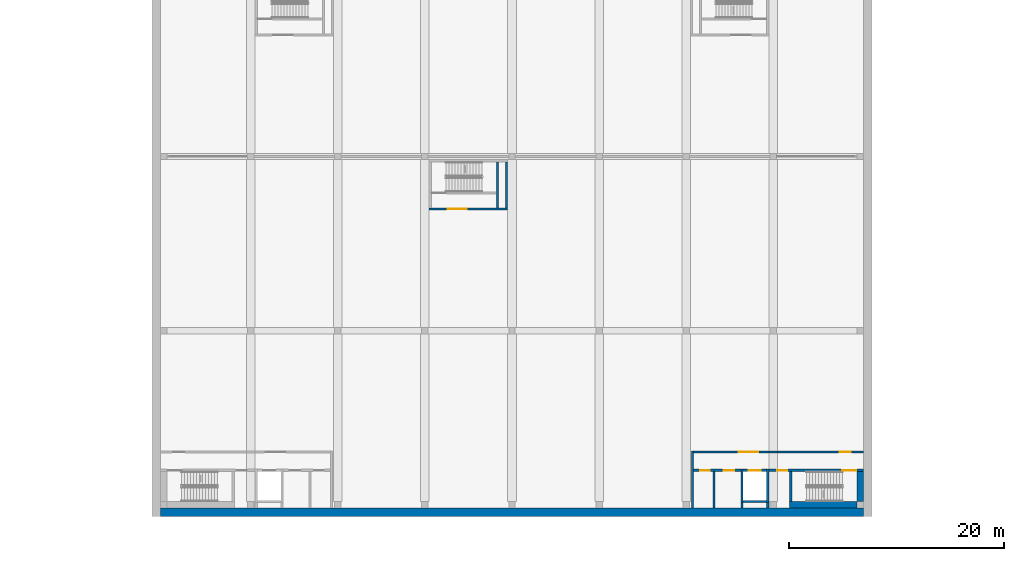
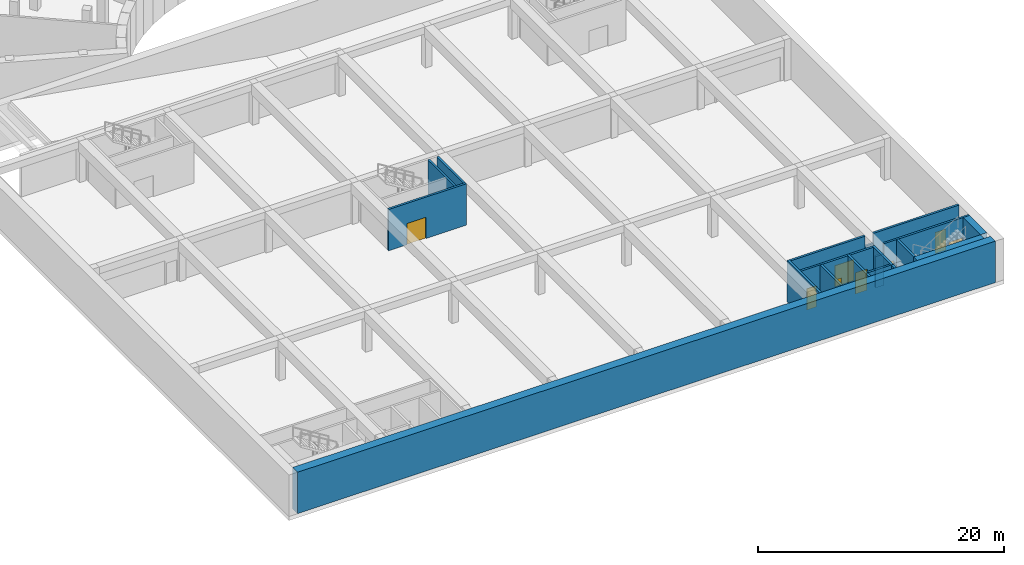
# One storey, part 4 of 21: 21 walls, 8 doors, 8 openings.
"""IFC4 building model written with IfcOpenShell, lengths in metres."""

from ifc_helpers import new_model, si_unit, direction, frame, frame_2d, origin, place, context, subcontext, project, spatial, rectangle, extrude, material, layer, layer_set, type_object, element, fill, save


model = new_model("IFC4")

# Units and contexts
model_context = context("Model", 3, precision=1e-05, world=origin(), true_north=direction((0.0, 1.0)))
body_context = subcontext(model_context, "Body", "Model", "MODEL_VIEW")
ifc_project = project(units=[si_unit("LENGTHUNIT", "METRE"), si_unit("AREAUNIT", "SQUARE_METRE"), si_unit("VOLUMEUNIT", "CUBIC_METRE"), si_unit("PLANEANGLEUNIT", "RADIAN"), si_unit("MASSUNIT", "GRAM", prefix="KILO")], contexts=[model_context])

# Site, building, storey
site_placement = place(None, origin())
site = spatial("IfcSite", under=ifc_project, at=site_placement, CompositionType="ELEMENT")
building_placement = place(site_placement, origin())
building = spatial("IfcBuilding", under=site, at=building_placement, Name="Stone Belt Terrace Tower", CompositionType="ELEMENT")
storey_placement = place(building_placement, frame((0.0, 0.0, -9.0)))
storey = spatial("IfcBuildingStorey", under=building, at=storey_placement, Name="B2", CompositionType="ELEMENT", Elevation=-9.0)

# Wall
ifc_material_1 = material(Name="Concrete B30", Category="concrete")
ifc_layer_1 = layer(ifc_material_1, 0.199951171875)
ifc_layer_set_1 = layer_set([ifc_layer_1], Name="Car park core wall 200")
wall_type_1 = type_object("IfcWallType", Name="Car park core wall 200", PredefinedType="SOLIDWALL", material=ifc_layer_set_1)
wall_1_placement = place(storey_placement, frame((25.93994140625, -50.10009765625, 0.0), z_axis=(0.0, 0.0, 1.0), x_axis=(0.0, 1.0, 0.0)))
element("IfcWall", 1, at=wall_1_placement, inside=storey, type_object=wall_type_1, Name="Car park stair 2 wall", PredefinedType="SOLIDWALL", context=body_context, shape_type="SweptSolid", body=[
    extrude(rectangle(XDim=2.800048828125, YDim=0.199951171875, at=frame_2d((1.39990234375, 0.0))), origin(), (0.0, 0.0, 1.0), 4.10009765625),
])

# Wall, openings, doors
wall_2_placement = place(storey_placement, frame((24.699951171875, -47.199951171875, 0.0), z_axis=(0.0, 0.0, 1.0), x_axis=(1.0, 0.0, 0.0)))
wall_2 = element("IfcWall", 2, at=wall_2_placement, inside=storey, type_object=wall_type_1, Name="Car park core 2 wall", PredefinedType="SOLIDWALL", context=body_context, shape_type="SweptSolid", body=[
    extrude(rectangle(XDim=8.0, YDim=0.199951171875, at=frame_2d((4.0, 0.0))), origin(), (0.0, 0.0, 1.0), 4.10009765625),
])
opening_1_placement = place(wall_2_placement, frame((6.050048828125, 0.0, 0.0)))
opening_1 = element("IfcOpeningElement", 3, at=opening_1_placement, cuts=wall_2, Name="Opening B2-S12", PredefinedType="OPENING", context=body_context, shape_type="SweptSolid", body=[
    extrude(rectangle(XDim=1.300048828125, YDim=2.10009765625, at=frame_2d((0.64990234375, 1.050048828125))), frame((0.0, 0.10986328125, 0.0), z_axis=(0.0, -1.0, 0.0), x_axis=(1.0, 0.0, 0.0)), (0.0, 0.0, 1.0), 0.219970703125),
])
opening_2_placement = place(wall_2_placement, origin())
opening_2 = element("IfcOpeningElement", 4, at=opening_2_placement, cuts=wall_2, Name="Opening B2-S13", PredefinedType="OPENING", context=body_context, shape_type="SweptSolid", body=[
    extrude(rectangle(XDim=0.89990234375, YDim=2.10009765625, at=frame_2d((0.449951171875, 1.050048828125))), frame((0.0, 0.10986328125, 0.0), z_axis=(0.0, -1.0, 0.0), x_axis=(1.0, 0.0, 0.0)), (0.0, 0.0, 1.0), 0.219970703125),
])
ifc_material_2 = material(Name="Steel door leaf", Category="steel")
door_type_1 = type_object("IfcDoorType", Name="Core door 1300 fire rated", OperationType="NOTDEFINED", PredefinedType="DOOR", material=ifc_material_2)
door_1_placement = place(opening_1_placement, origin())
door_1 = element("IfcDoor", 5, at=door_1_placement, inside=storey, type_object=door_type_1, Name="Stair 2 door", OperationType="SINGLE_SWING_RIGHT", OverallHeight=2.10009765625, OverallWidth=1.300048828125, PredefinedType="DOOR", context=body_context, shape_type="SweptSolid", body=[
    extrude(rectangle(XDim=1.300048828125, YDim=2.10009765625, at=frame_2d((0.64990234375, 1.050048828125))), frame((0.0, 0.02490234375, 0.0), z_axis=(0.0, -1.0, 0.0), x_axis=(1.0, 0.0, 0.0)), (0.0, 0.0, 1.0), 0.050048828125),
])
fill(opening_1, door_1)
door_type_2 = type_object("IfcDoorType", Name="Core door 900 fire rated", OperationType="NOTDEFINED", PredefinedType="DOOR", material=ifc_material_2)
door_2_placement = place(opening_2_placement, origin())
door_2 = element("IfcDoor", 6, at=door_2_placement, inside=storey, type_object=door_type_2, Name="Riser room 2 door", OperationType="SINGLE_SWING_LEFT", OverallHeight=2.10009765625, OverallWidth=0.89990234375, PredefinedType="DOOR", context=body_context, shape_type="SweptSolid", body=[
    extrude(rectangle(XDim=0.89990234375, YDim=2.10009765625, at=frame_2d((0.449951171875, 1.050048828125))), frame((0.0, 0.02490234375, 0.0), z_axis=(0.0, -1.0, 0.0), x_axis=(1.0, 0.0, 0.0)), (0.0, 0.0, 1.0), 0.050048828125),
])
fill(opening_2, door_2)

wall_3_placement = place(storey_placement, frame((16.89990234375, -47.199951171875, 0.0), z_axis=(0.0, 0.0, 1.0), x_axis=(1.0, 0.0, 0.0)))
wall_3 = element("IfcWall", 7, at=wall_3_placement, inside=storey, type_object=wall_type_1, Name="Car park core 2 wall", PredefinedType="SOLIDWALL", context=body_context, shape_type="SweptSolid", body=[
    extrude(rectangle(XDim=4.400146484375, YDim=0.199951171875, at=frame_2d((2.2001953125, 0.0))), origin(), (0.0, 0.0, 1.0), 4.10009765625),
])
opening_3_placement = place(wall_3_placement, frame((2.800048828125, 0.0, 0.0)))
opening_3 = element("IfcOpeningElement", 8, at=opening_3_placement, cuts=wall_3, Name="Opening B2-S15", PredefinedType="OPENING", context=body_context, shape_type="SweptSolid", body=[
    extrude(rectangle(XDim=1.0, YDim=2.10009765625, at=frame_2d((0.5, 1.050048828125))), frame((0.0, 0.10986328125, 0.0), z_axis=(0.0, -1.0, 0.0), x_axis=(1.0, 0.0, 0.0)), (0.0, 0.0, 1.0), 0.219970703125),
])
opening_4_placement = place(wall_3_placement, frame((0.60009765625, 0.0, 0.0)))
opening_4 = element("IfcOpeningElement", 9, at=opening_4_placement, cuts=wall_3, Name="Opening B2-S16", PredefinedType="OPENING", context=body_context, shape_type="SweptSolid", body=[
    extrude(rectangle(XDim=0.89990234375, YDim=2.10009765625, at=frame_2d((0.449951171875, 1.050048828125))), frame((0.0, 0.10986328125, 0.0), z_axis=(0.0, -1.0, 0.0), x_axis=(1.0, 0.0, 0.0)), (0.0, 0.0, 1.0), 0.219970703125),
])
door_type_3 = type_object("IfcDoorType", Name="Core door 1000 fire rated", OperationType="NOTDEFINED", PredefinedType="DOOR", material=ifc_material_2)
door_3_placement = place(opening_3_placement, origin())
door_3 = element("IfcDoor", 10, at=door_3_placement, inside=storey, type_object=door_type_3, Name="Accessible WC 2 door", OperationType="SINGLE_SWING_RIGHT", OverallHeight=2.10009765625, OverallWidth=1.0, PredefinedType="DOOR", context=body_context, shape_type="SweptSolid", body=[
    extrude(rectangle(XDim=1.0, YDim=2.10009765625, at=frame_2d((0.5, 1.050048828125))), frame((0.0, 0.02490234375, 0.0), z_axis=(0.0, -1.0, 0.0), x_axis=(1.0, 0.0, 0.0)), (0.0, 0.0, 1.0), 0.050048828125),
])
fill(opening_3, door_3)
door_4_placement = place(opening_4_placement, origin())
door_4 = element("IfcDoor", 11, at=door_4_placement, inside=storey, type_object=door_type_2, Name="Equipment store 2 door", OperationType="SINGLE_SWING_LEFT", OverallHeight=2.10009765625, OverallWidth=0.89990234375, PredefinedType="DOOR", context=body_context, shape_type="SweptSolid", body=[
    extrude(rectangle(XDim=0.89990234375, YDim=2.10009765625, at=frame_2d((0.449951171875, 1.050048828125))), frame((0.0, 0.02490234375, 0.0), z_axis=(0.0, -1.0, 0.0), x_axis=(1.0, 0.0, 0.0)), (0.0, 0.0, 1.0), 0.050048828125),
])
fill(opening_4, door_4)

# Walls
for number, where, z_axis, x_axis, name in (
    (12, (23.800048828125, -50.699951171875, 0.0), (0.0, 0.0, 1.0), (0.0, 1.0, 0.0), "Car park core 2 wall"),
    (13, (21.39990234375, -50.699951171875, 0.0), (0.0, 0.0, 1.0), (0.0, 1.0, 0.0), "Car park core 2 wall"),
):
    element("IfcWall", number, at=place(storey_placement, frame(where, z_axis=z_axis, x_axis=x_axis)), inside=storey, type_object=wall_type_1, Name=name, PredefinedType="SOLIDWALL", context=body_context, shape_type="SweptSolid", body=[
        extrude(rectangle(XDim=0.5, YDim=0.199951171875, at=frame_2d((0.25, 0.0))), origin(), (0.0, 0.0, 1.0), 4.10009765625),
    ])
wall_4_placement = place(storey_placement, frame((16.800048828125, -50.699951171875, 0.0), z_axis=(0.0, 0.0, 1.0), x_axis=(0.0, 1.0, 0.0)))
element("IfcWall", 14, at=wall_4_placement, inside=storey, type_object=wall_type_1, Name="Car park core 2 wall", PredefinedType="SOLIDWALL", context=body_context, shape_type="SweptSolid", body=[
    extrude(rectangle(XDim=5.300048828125, YDim=0.199951171875, at=frame_2d((2.64990234375, 0.0))), origin(), (0.0, 0.0, 1.0), 4.10009765625),
])

# Wall, opening, door
wall_5_placement = place(storey_placement, frame((16.89990234375, -45.5, 0.0), z_axis=(0.0, 0.0, 1.0), x_axis=(1.0, 0.0, 0.0)))
wall_5 = element("IfcWall", 15, at=wall_5_placement, inside=storey, type_object=wall_type_1, Name="Car park core 2 front wall", PredefinedType="SOLIDWALL", context=body_context, shape_type="SweptSolid", body=[
    extrude(rectangle(XDim=7.0, YDim=0.199951171875, at=frame_2d((3.5, 0.0))), origin(), (0.0, 0.0, 1.0), 4.10009765625),
])
opening_5_placement = place(wall_5_placement, frame((4.199951171875, 0.0, 0.0)))
opening_5 = element("IfcOpeningElement", 16, at=opening_5_placement, cuts=wall_5, Name="Opening B2-S17", PredefinedType="OPENING", context=body_context, shape_type="SweptSolid", body=[
    extrude(rectangle(XDim=1.800048828125, YDim=2.10009765625, at=frame_2d((0.89990234375, 1.050048828125))), frame((0.0, 0.10986328125, 0.0), z_axis=(0.0, -1.0, 0.0), x_axis=(1.0, 0.0, 0.0)), (0.0, 0.0, 1.0), 0.219970703125),
])
door_type_4 = type_object("IfcDoorType", Name="Core door pair 1800 fire rated", OperationType="DOUBLE_DOOR_DOUBLE_SWING", PredefinedType="DOOR", material=ifc_material_2)
door_5_placement = place(opening_5_placement, origin())
door_5 = element("IfcDoor", 17, at=door_5_placement, inside=storey, type_object=door_type_4, Name="Car park lobby 2 door", OperationType="SINGLE_SWING_LEFT", OverallHeight=2.10009765625, OverallWidth=1.800048828125, PredefinedType="DOOR", context=body_context, shape_type="SweptSolid", body=[
    extrude(rectangle(XDim=1.800048828125, YDim=2.10009765625, at=frame_2d((0.89990234375, 1.050048828125))), frame((0.0, 0.02490234375, 0.0), z_axis=(0.0, -1.0, 0.0), x_axis=(1.0, 0.0, 0.0)), (0.0, 0.0, 1.0), 0.050048828125),
])
fill(opening_5, door_5)

wall_6_placement = place(storey_placement, frame((24.699951171875, -45.5, 0.0), z_axis=(0.0, 0.0, 1.0), x_axis=(1.0, 0.0, 0.0)))
wall_6 = element("IfcWall", 18, at=wall_6_placement, inside=storey, type_object=wall_type_1, Name="Car park core 2 front wall", PredefinedType="SOLIDWALL", context=body_context, shape_type="SweptSolid", body=[
    extrude(rectangle(XDim=8.0, YDim=0.199951171875, at=frame_2d((4.0, 0.0))), origin(), (0.0, 0.0, 1.0), 4.10009765625),
])
opening_6_placement = place(wall_6_placement, frame((5.800048828125, 0.0, 0.0)))
opening_6 = element("IfcOpeningElement", 19, at=opening_6_placement, cuts=wall_6, Name="Opening B2-S18", PredefinedType="OPENING", context=body_context, shape_type="SweptSolid", body=[
    extrude(rectangle(XDim=1.0, YDim=2.10009765625, at=frame_2d((0.5, 1.050048828125))), frame((0.0, 0.10986328125, 0.0), z_axis=(0.0, -1.0, 0.0), x_axis=(1.0, 0.0, 0.0)), (0.0, 0.0, 1.0), 0.219970703125),
])
door_6_placement = place(opening_6_placement, origin())
door_6 = element("IfcDoor", 20, at=door_6_placement, inside=storey, type_object=door_type_3, Name="Car park exit 2 door", OperationType="SINGLE_SWING_LEFT", OverallHeight=2.10009765625, OverallWidth=1.0, PredefinedType="DOOR", context=body_context, shape_type="SweptSolid", body=[
    extrude(rectangle(XDim=1.0, YDim=2.10009765625, at=frame_2d((0.5, 1.050048828125))), frame((0.0, 0.02490234375, 0.0), z_axis=(0.0, -1.0, 0.0), x_axis=(1.0, 0.0, 0.0)), (0.0, 0.0, 1.0), 0.050048828125),
])
fill(opening_6, door_6)

wall_7_placement = place(storey_placement, frame((-7.699951171875, -22.89990234375, 0.0), z_axis=(0.0, 0.0, 1.0), x_axis=(1.0, 0.0, 0.0)))
wall_7 = element("IfcWall", 21, at=wall_7_placement, inside=storey, type_object=wall_type_1, Name="Car park stair 5 front wall", PredefinedType="SOLIDWALL", context=body_context, shape_type="SweptSolid", body=[
    extrude(rectangle(XDim=7.300048828125, YDim=0.199951171875, at=frame_2d((3.64990234375, 0.0))), origin(), (0.0, 0.0, 1.0), 4.10009765625),
])
opening_7_placement = place(wall_7_placement, frame((1.699951171875, 0.0, 0.0)))
opening_7 = element("IfcOpeningElement", 22, at=opening_7_placement, cuts=wall_7, Name="Opening B2-S24", PredefinedType="OPENING", context=body_context, shape_type="SweptSolid", body=[
    extrude(rectangle(XDim=1.800048828125, YDim=2.10009765625, at=frame_2d((0.89990234375, 1.050048828125))), frame((0.0, 0.10986328125, 0.0), z_axis=(0.0, -1.0, 0.0), x_axis=(1.0, 0.0, 0.0)), (0.0, 0.0, 1.0), 0.219970703125),
])
door_7_placement = place(opening_7_placement, origin())
door_7 = element("IfcDoor", 23, at=door_7_placement, inside=storey, type_object=door_type_4, Name="Car park stair 5 vestibule door", OperationType="SINGLE_SWING_LEFT", OverallHeight=2.10009765625, OverallWidth=1.800048828125, PredefinedType="DOOR", context=body_context, shape_type="SweptSolid", body=[
    extrude(rectangle(XDim=1.800048828125, YDim=2.10009765625, at=frame_2d((0.89990234375, 1.050048828125))), frame((0.0, 0.02490234375, 0.0), z_axis=(0.0, -1.0, 0.0), x_axis=(1.0, 0.0, 0.0)), (0.0, 0.0, 1.0), 0.050048828125),
])
fill(opening_7, door_7)

# Walls
for number, where, z_axis, x_axis, name in (
    (24, (-1.340087890625, -22.800048828125, 0.0), (0.0, 0.0, 1.0), (0.0, 1.0, 0.0), "Car park stair 5 wall"),
    (25, (-0.5, -22.800048828125, 0.0), (0.0, 0.0, 1.0), (0.0, 1.0, 0.0), "Car park stair 5 wall"),
):
    element("IfcWall", number, at=place(storey_placement, frame(where, z_axis=z_axis, x_axis=x_axis)), inside=storey, type_object=wall_type_1, Name=name, PredefinedType="SOLIDWALL", context=body_context, shape_type="SweptSolid", body=[
        extrude(rectangle(XDim=4.300048828125, YDim=0.199951171875, at=frame_2d((2.14990234375, 0.0))), origin(), (0.0, 0.0, 1.0), 4.10009765625),
    ])
ifc_layer_2 = layer(ifc_material_1, 0.199951171875)
ifc_layer_set_2 = layer_set([ifc_layer_2], Name="Car park core wall 200 variant A")
wall_type_2 = type_object("IfcWallType", Name="Car park core wall 200 variant A", PredefinedType="SOLIDWALL", material=ifc_layer_set_2)
for number, where, z_axis, x_axis, name in (
    (26, (23.89990234375, -47.199951171875, 0.0), (0.0, 0.0, 1.0), (1.0, 0.0, 0.0), "Car park core 2 wall"),
    (27, (23.89990234375, -45.5, 0.0), (0.0, 0.0, 1.0), (1.0, 0.0, 0.0), "Car park core 2 front wall"),
):
    element("IfcWall", number, at=place(storey_placement, frame(where, z_axis=z_axis, x_axis=x_axis)), inside=storey, type_object=wall_type_2, Name=name, PredefinedType="SOLIDWALL", context=body_context, shape_type="SweptSolid", body=[
        extrude(rectangle(XDim=0.800048828125, YDim=0.199951171875, at=frame_2d((0.39990234375, 0.0))), origin(), (0.0, 0.0, 1.0), 3.10009765625),
    ])

# Wall, opening, door
ifc_layer_3 = layer(ifc_material_1, 0.199951171875)
ifc_layer_set_3 = layer_set([ifc_layer_3], Name="Car park core wall 200 variant C")
wall_type_3 = type_object("IfcWallType", Name="Car park core wall 200 variant C", PredefinedType="SOLIDWALL", material=ifc_layer_set_3)
wall_8_placement = place(storey_placement, frame((21.5, -47.199951171875, -0.39990234375), z_axis=(0.0, 0.0, 1.0), x_axis=(1.0, 0.0, 0.0)))
wall_8 = element("IfcWall", 28, at=wall_8_placement, inside=storey, type_object=wall_type_3, Name="Car park lift 2 shaft wall", PredefinedType="SOLIDWALL", context=body_context, shape_type="SweptSolid", body=[
    extrude(rectangle(XDim=2.199951171875, YDim=0.199951171875, at=frame_2d((1.10009765625, 0.0))), origin(), (0.0, 0.0, 1.0), 4.5),
])
opening_8_placement = place(wall_8_placement, frame((0.550048828125, 0.0, 0.39990234375)))
opening_8 = element("IfcOpeningElement", 29, at=opening_8_placement, cuts=wall_8, Name="Opening B2-S14", PredefinedType="OPENING", context=body_context, shape_type="SweptSolid", body=[
    extrude(rectangle(XDim=1.10009765625, YDim=2.10009765625, at=frame_2d((0.550048828125, 1.050048828125))), frame((0.0, 0.10986328125, 0.0), z_axis=(0.0, -1.0, 0.0), x_axis=(1.0, 0.0, 0.0)), (0.0, 0.0, 1.0), 0.219970703125),
])
ifc_material_3 = material(Name="Stainless steel", Category="steel")
door_type_5 = type_object("IfcDoorType", Name="Lift landing door 1100", OperationType="SLIDING_TO_LEFT", PredefinedType="DOOR", material=ifc_material_3)
door_8_placement = place(opening_8_placement, origin())
door_8 = element("IfcDoor", 30, at=door_8_placement, inside=storey, type_object=door_type_5, Name="Lift 2 landing door", OperationType="SLIDING_TO_RIGHT", OverallHeight=2.10009765625, OverallWidth=1.10009765625, PredefinedType="DOOR", context=body_context, shape_type="SweptSolid", body=[
    extrude(rectangle(XDim=1.10009765625, YDim=2.10009765625, at=frame_2d((0.550048828125, 1.050048828125))), frame((0.0, 0.02490234375, 0.0), z_axis=(0.0, -1.0, 0.0), x_axis=(1.0, 0.0, 0.0)), (0.0, 0.0, 1.0), 0.050048828125),
])
fill(opening_8, door_8)

# Walls
for number, where, z_axis, x_axis, name in (
    (31, (23.800048828125, -50.199951171875, -0.39990234375), (0.0, 0.0, 1.0), (0.0, 1.0, 0.0), "Car park lift 2 shaft wall"),
    (32, (21.39990234375, -50.199951171875, -0.39990234375), (0.0, 0.0, 1.0), (0.0, 1.0, 0.0), "Car park lift 2 shaft wall"),
):
    element("IfcWall", number, at=place(storey_placement, frame(where, z_axis=z_axis, x_axis=x_axis)), inside=storey, type_object=wall_type_3, Name=name, PredefinedType="SOLIDWALL", context=body_context, shape_type="SweptSolid", body=[
        extrude(rectangle(XDim=3.099853515625, YDim=0.199951171875, at=frame_2d((1.5498046875, 0.0))), origin(), (0.0, 0.0, 1.0), 4.5),
    ])
wall_9_placement = place(storey_placement, frame((21.5, -50.10009765625, -0.39990234375), z_axis=(0.0, 0.0, 1.0), x_axis=(1.0, 0.0, 0.0)))
element("IfcWall", 33, at=wall_9_placement, inside=storey, type_object=wall_type_3, Name="Car park lift 2 shaft wall", PredefinedType="SOLIDWALL", context=body_context, shape_type="SweptSolid", body=[
    extrude(rectangle(XDim=2.199951171875, YDim=0.199951171875, at=frame_2d((1.10009765625, 0.0))), origin(), (0.0, 0.0, 1.0), 4.5),
])
ifc_material_4 = material(Name="Blockwork", Category="masonry")
ifc_layer_4 = layer(ifc_material_4, 0.199951171875)
ifc_layer_set_4 = layer_set([ifc_layer_4], Name="Car park partition 200")
wall_type_4 = type_object("IfcWallType", Name="Car park partition 200", PredefinedType="PARTITIONING", material=ifc_layer_set_4)
wall_10_placement = place(storey_placement, frame((18.800048828125, -50.699951171875, 0.0), z_axis=(0.0, 0.0, 1.0), x_axis=(0.0, 1.0, 0.0)))
element("IfcWall", 34, at=wall_10_placement, inside=storey, type_object=wall_type_4, Name="Car park core 2 partition", PredefinedType="PARTITIONING", context=body_context, shape_type="SweptSolid", body=[
    extrude(rectangle(XDim=3.39990234375, YDim=0.199951171875, at=frame_2d((1.699951171875, 0.0))), origin(), (0.0, 0.0, 1.0), 4.10009765625),
])
ifc_layer_5 = layer(ifc_material_1, 0.800048828125)
ifc_layer_set_5 = layer_set([ifc_layer_5], Name="Car park retaining wall 800")
wall_type_5 = type_object("IfcWallType", Name="Car park retaining wall 800", PredefinedType="SOLIDWALL", material=ifc_layer_set_5)
wall_11_placement = place(storey_placement, frame((-32.699951171875, -51.10009765625, 0.0), z_axis=(0.0, 0.0, 1.0), x_axis=(1.0, 0.0, 0.0)))
element("IfcWall", 35, at=wall_11_placement, inside=storey, type_object=wall_type_5, Name="Car park retaining wall south", PredefinedType="SOLIDWALL", context=body_context, shape_type="SweptSolid", body=[
    extrude(rectangle(XDim=65.39990234375, YDim=0.800048828125, at=frame_2d((32.699951171875, 0.0))), origin(), (0.0, 0.0, 1.0), 4.10009765625),
])
ifc_layer_6 = layer(ifc_material_1, 0.60009765625)
ifc_layer_set_6 = layer_set([ifc_layer_6], Name="Car park stair wall 600")
wall_type_6 = type_object("IfcWallType", Name="Car park stair wall 600", PredefinedType="SOLIDWALL", material=ifc_layer_set_6)
wall_12_placement = place(storey_placement, frame((25.840087890625, -50.39990234375, 0.0), z_axis=(0.0, 0.0, 1.0), x_axis=(1.0, 0.0, 0.0)))
element("IfcWall", 36, at=wall_12_placement, inside=storey, type_object=wall_type_6, Name="Car park stair 2 wall", PredefinedType="SOLIDWALL", context=body_context, shape_type="SweptSolid", body=[
    extrude(rectangle(XDim=6.260009765625, YDim=0.60009765625, at=frame_2d((3.1298828125, 0.0))), origin(), (0.0, 0.0, 1.0), 4.10009765625),
])
wall_13_placement = place(storey_placement, frame((32.39990234375, -50.10009765625, 0.0), z_axis=(0.0, 0.0, 1.0), x_axis=(0.0, 1.0, 0.0)))
element("IfcWall", 37, at=wall_13_placement, inside=storey, type_object=wall_type_6, Name="Car park stair 2 wall", PredefinedType="SOLIDWALL", context=body_context, shape_type="SweptSolid", body=[
    extrude(rectangle(XDim=2.800048828125, YDim=0.60009765625, at=frame_2d((1.39990234375, 0.0))), origin(), (0.0, 0.0, 1.0), 4.10009765625),
])

save(model, "model.ifc")
